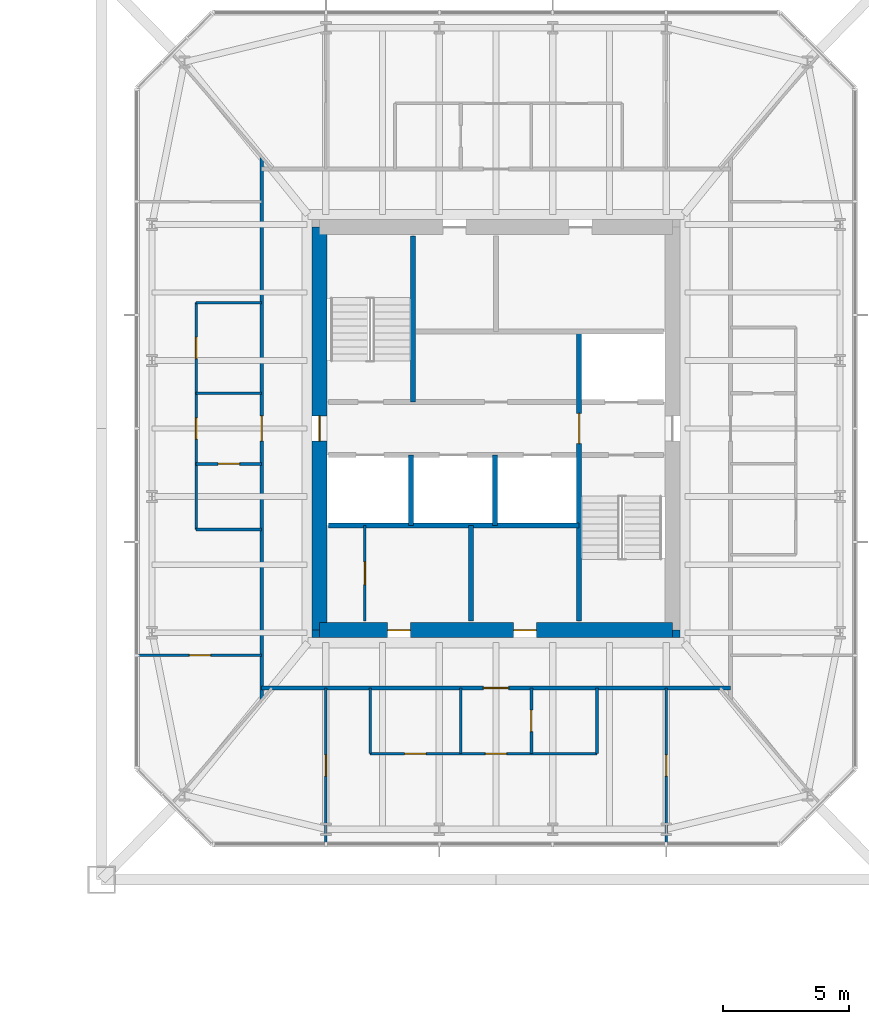
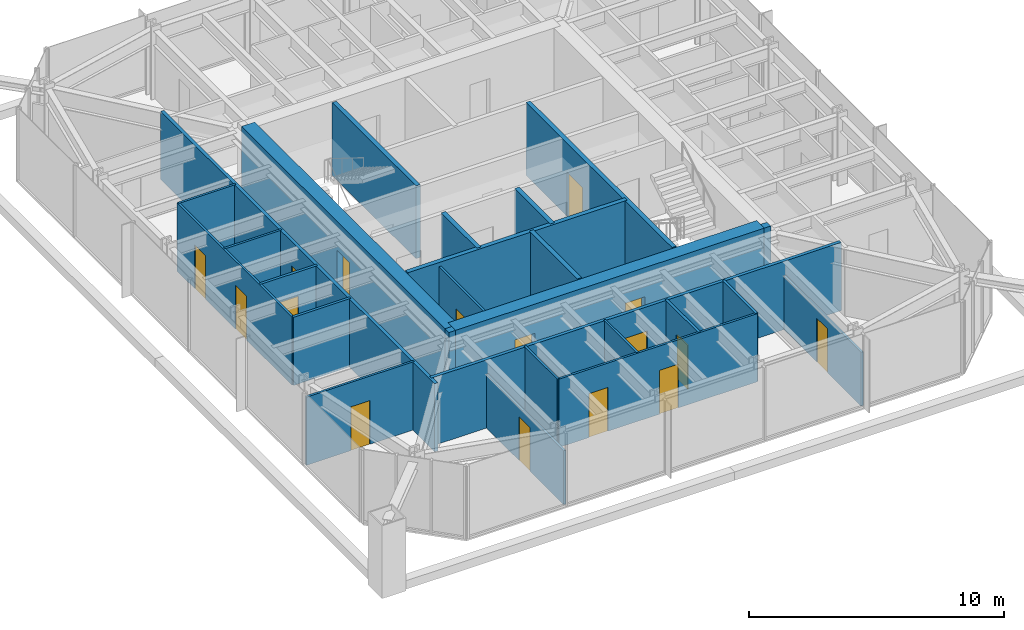
# One storey, part 18 of 26: 26 walls, 16 doors, 16 openings.
"""IFC4 building model written with IfcOpenShell, lengths in metres."""

from ifc_helpers import new_model, si_unit, direction, frame, frame_2d, origin, place, context, subcontext, project, spatial, rectangle, extrude, material, layer, layer_set, type_object, element, fill, save


model = new_model("IFC4")

# Units and contexts
model_context = context("Model", 3, precision=1e-05, world=origin(), true_north=direction((0.0, 1.0)))
body_context = subcontext(model_context, "Body", "Model", "MODEL_VIEW")
ifc_project = project(units=[si_unit("LENGTHUNIT", "METRE"), si_unit("AREAUNIT", "SQUARE_METRE"), si_unit("VOLUMEUNIT", "CUBIC_METRE"), si_unit("PLANEANGLEUNIT", "RADIAN"), si_unit("MASSUNIT", "GRAM", prefix="KILO")], contexts=[model_context])

# Site, building, storey
site_placement = place(None, origin())
site = spatial("IfcSite", under=ifc_project, at=site_placement, CompositionType="ELEMENT")
building_placement = place(site_placement, origin())
building = spatial("IfcBuilding", under=site, at=building_placement, Name="Iwan Alto Co-Living Towers", CompositionType="ELEMENT")
storey_placement = place(building_placement, frame((0.0, 0.0, 115.5)))
storey = spatial("IfcBuildingStorey", under=building, at=storey_placement, Name="L31", CompositionType="ELEMENT", Elevation=115.5)

# Wall, opening, door
ifc_material_1 = material(Name="Gypsum board")
ifc_layer_1 = layer(ifc_material_1, 0.02490234375, Name="Board", Category="Finish")
ifc_material_2 = material(Name="Steel ASTM A1003 ST33H cold-formed studs", Category="steel")
ifc_layer_2 = layer(ifc_material_2, 0.10009765625, Name="Studs", Category="Framing")
ifc_layer_3 = layer(ifc_material_1, 0.02490234375, Name="Board", Category="Finish")
ifc_layer_set_1 = layer_set([ifc_layer_1, ifc_layer_2, ifc_layer_3], Name="CORRIDOR WALL 150")
wall_type_1 = type_object("IfcWallType", Name="CORRIDOR WALL 150", PredefinedType="PARTITIONING", material=ifc_layer_set_1)
wall_1_placement = place(storey_placement, frame((53.699951171875, -10.300048828125, 0.0), z_axis=(0.0, 0.0, 1.0), x_axis=(1.0, 0.0, 0.0)))
wall_1 = element("IfcWall", 1, at=wall_1_placement, inside=storey, type_object=wall_type_1, Name="Partition L31", PredefinedType="PARTITIONING", context=body_context, shape_type="SweptSolid", body=[
    extrude(rectangle(XDim=18.60009765625, YDim=0.14990234375, at=frame_2d((9.300048828125, 0.0))), origin(), (0.0, 0.0, 1.0), 3.27001953125),
])
opening_1_placement = place(wall_1_placement, frame((8.800048828125, 0.0, 0.0)))
opening_1 = element("IfcOpeningElement", 2, at=opening_1_placement, cuts=wall_1, Name="Opening D3", PredefinedType="OPENING", context=body_context, shape_type="SweptSolid", body=[
    extrude(rectangle(XDim=1.0, YDim=2.10009765625, at=frame_2d((0.5, 1.050048828125))), frame((0.0, 0.0849609375, 0.0), z_axis=(0.0, -1.0, 0.0), x_axis=(1.0, 0.0, 0.0)), (0.0, 0.0, 1.0), 0.169921875),
])
ifc_material_3 = material(Name="Steel frame with timber leaf", Category="steel")
door_type_1 = type_object("IfcDoorType", Name="FLAT ENTRANCE DOOR FD30S 1000X2100", OperationType="SINGLE_SWING_LEFT", PredefinedType="DOOR", material=ifc_material_3)
door_1_placement = place(opening_1_placement, frame((1.0, 0.0, 0.0), z_axis=(0.0, 0.0, 1.0), x_axis=(-1.0, 0.0, 0.0)))
door_1 = element("IfcDoor", 3, at=door_1_placement, inside=storey, type_object=door_type_1, Name="Apartment foyer door L31", OperationType="SINGLE_SWING_RIGHT", OverallHeight=2.10009765625, OverallWidth=1.0, PredefinedType="DOOR", context=body_context, shape_type="SweptSolid", body=[
    extrude(rectangle(XDim=1.0, YDim=2.10009765625, at=frame_2d((0.5, 1.050048828125))), frame((0.0, 0.02490234375, 0.0), z_axis=(0.0, -1.0, 0.0), x_axis=(1.0, 0.0, 0.0)), (0.0, 0.0, 1.0), 0.050048828125),
])
fill(opening_1, door_1)

wall_2_placement = place(storey_placement, frame((53.699951171875, -10.76806640625, 0.0), z_axis=(0.0, 0.0, 1.0), x_axis=(0.0, 1.0, 0.0)))
wall_2 = element("IfcWall", 4, at=wall_2_placement, inside=storey, type_object=wall_type_1, Name="Partition L31", PredefinedType="PARTITIONING", context=body_context, shape_type="SweptSolid", body=[
    extrude(rectangle(XDim=21.5361328125, YDim=0.14990234375, at=frame_2d((10.76806640625, 0.0))), origin(), (0.0, 0.0, 1.0), 3.27001953125),
])
opening_2_placement = place(wall_2_placement, frame((10.26806640625, 0.0, 0.0)))
opening_2 = element("IfcOpeningElement", 5, at=opening_2_placement, cuts=wall_2, Name="Opening D3", PredefinedType="OPENING", context=body_context, shape_type="SweptSolid", body=[
    extrude(rectangle(XDim=1.0, YDim=2.10009765625, at=frame_2d((0.5, 1.050048828125))), frame((0.0, 0.0849609375, 0.0), z_axis=(0.0, -1.0, 0.0), x_axis=(1.0, 0.0, 0.0)), (0.0, 0.0, 1.0), 0.169921875),
])
door_2_placement = place(opening_2_placement, origin())
door_2 = element("IfcDoor", 6, at=door_2_placement, inside=storey, type_object=door_type_1, Name="Apartment foyer door L31", OperationType="SINGLE_SWING_LEFT", OverallHeight=2.10009765625, OverallWidth=1.0, PredefinedType="DOOR", context=body_context, shape_type="SweptSolid", body=[
    extrude(rectangle(XDim=1.0, YDim=2.10009765625, at=frame_2d((0.5, 1.050048828125))), frame((0.0, 0.02490234375, 0.0), z_axis=(0.0, -1.0, 0.0), x_axis=(1.0, 0.0, 0.0)), (0.0, 0.0, 1.0), 0.050048828125),
])
fill(opening_2, door_2)

# Wall, openings, doors
ifc_layer_4 = layer(ifc_material_1, 0.012451171875, Name="Board", Category="Finish")
ifc_layer_5 = layer(ifc_material_2, 0.074951171875, Name="Studs", Category="Framing")
ifc_layer_6 = layer(ifc_material_1, 0.012451171875, Name="Board", Category="Finish")
ifc_layer_set_2 = layer_set([ifc_layer_4, ifc_layer_5, ifc_layer_6], Name="PARTITION 100")
wall_type_2 = type_object("IfcWallType", Name="PARTITION 100", PredefinedType="PARTITIONING", material=ifc_layer_set_2)
wall_3_placement = place(storey_placement, frame((58.0, -12.89990234375, 0.0), z_axis=(0.0, 0.0, 1.0), x_axis=(1.0, 0.0, 0.0)))
wall_3 = element("IfcWall", 7, at=wall_3_placement, inside=storey, type_object=wall_type_2, Name="Partition L31", PredefinedType="PARTITIONING", context=body_context, shape_type="SweptSolid", body=[
    extrude(rectangle(XDim=9.0, YDim=0.10009765625, at=frame_2d((4.5, 0.0))), origin(), (0.0, 0.0, 1.0), 3.27001953125),
])
opening_3_placement = place(wall_3_placement, frame((1.375, 0.0, 0.0)))
opening_3 = element("IfcOpeningElement", 8, at=opening_3_placement, cuts=wall_3, Name="Opening D2", PredefinedType="OPENING", context=body_context, shape_type="SweptSolid", body=[
    extrude(rectangle(XDim=0.85009765625, YDim=2.10009765625, at=frame_2d((0.425048828125, 1.050048828125))), frame((0.0, 0.06005859375, 0.0), z_axis=(0.0, -1.0, 0.0), x_axis=(1.0, 0.0, 0.0)), (0.0, 0.0, 1.0), 0.1201171875),
])
opening_4_placement = place(wall_3_placement, frame((4.574951171875, 0.0, 0.0)))
opening_4 = element("IfcOpeningElement", 9, at=opening_4_placement, cuts=wall_3, Name="Opening D2", PredefinedType="OPENING", context=body_context, shape_type="SweptSolid", body=[
    extrude(rectangle(XDim=0.85009765625, YDim=2.10009765625, at=frame_2d((0.425048828125, 1.050048828125))), frame((0.0, 0.06005859375, 0.0), z_axis=(0.0, -1.0, 0.0), x_axis=(1.0, 0.0, 0.0)), (0.0, 0.0, 1.0), 0.1201171875),
])
ifc_material_4 = material(Name="Timber leaf in steel frame", Category="steel")
door_type_2 = type_object("IfcDoorType", Name="ROOM DOOR 850X2100", OperationType="SINGLE_SWING_LEFT", PredefinedType="DOOR", material=ifc_material_4)
door_3_placement = place(opening_3_placement, frame((0.85009765625, 0.0, 0.0), z_axis=(0.0, 0.0, 1.0), x_axis=(-1.0, 0.0, 0.0)))
door_3 = element("IfcDoor", 10, at=door_3_placement, inside=storey, type_object=door_type_2, Name="Kitchen door L31", OperationType="SINGLE_SWING_RIGHT", OverallHeight=2.10009765625, OverallWidth=0.85009765625, PredefinedType="DOOR", context=body_context, shape_type="SweptSolid", body=[
    extrude(rectangle(XDim=0.85009765625, YDim=2.10009765625, at=frame_2d((0.425048828125, 1.050048828125))), frame((0.0, 0.02490234375, 0.0), z_axis=(0.0, -1.0, 0.0), x_axis=(1.0, 0.0, 0.0)), (0.0, 0.0, 1.0), 0.050048828125),
])
fill(opening_3, door_3)
door_4_placement = place(opening_4_placement, frame((0.85009765625, 0.0, 0.0), z_axis=(0.0, 0.0, 1.0), x_axis=(-1.0, 0.0, 0.0)))
door_4 = element("IfcDoor", 11, at=door_4_placement, inside=storey, type_object=door_type_2, Name="Apartment foyer door L31", OperationType="SINGLE_SWING_RIGHT", OverallHeight=2.10009765625, OverallWidth=0.85009765625, PredefinedType="DOOR", context=body_context, shape_type="SweptSolid", body=[
    extrude(rectangle(XDim=0.85009765625, YDim=2.10009765625, at=frame_2d((0.425048828125, 1.050048828125))), frame((0.0, 0.02490234375, 0.0), z_axis=(0.0, -1.0, 0.0), x_axis=(1.0, 0.0, 0.0)), (0.0, 0.0, 1.0), 0.050048828125),
])
fill(opening_4, door_4)

# Wall, opening, door
wall_4_placement = place(storey_placement, frame((48.81005859375, -9.0, 0.0), z_axis=(0.0, 0.0, 1.0), x_axis=(1.0, 0.0, 0.0)))
wall_4 = element("IfcWall", 12, at=wall_4_placement, inside=storey, type_object=wall_type_2, Name="Partition L31", PredefinedType="PARTITIONING", context=body_context, shape_type="SweptSolid", body=[
    extrude(rectangle(XDim=4.889892578125, YDim=0.10009765625, at=frame_2d((2.44482421875, 0.0))), origin(), (0.0, 0.0, 1.0), 3.27001953125),
])
opening_5_placement = place(wall_4_placement, frame((2.02001953125, 0.0, 0.0)))
opening_5 = element("IfcOpeningElement", 13, at=opening_5_placement, cuts=wall_4, Name="Opening D2", PredefinedType="OPENING", context=body_context, shape_type="SweptSolid", body=[
    extrude(rectangle(XDim=0.85009765625, YDim=2.10009765625, at=frame_2d((0.425048828125, 1.050048828125))), frame((0.0, 0.06005859375, 0.0), z_axis=(0.0, -1.0, 0.0), x_axis=(1.0, 0.0, 0.0)), (0.0, 0.0, 1.0), 0.1201171875),
])
door_5_placement = place(opening_5_placement, origin())
door_5 = element("IfcDoor", 14, at=door_5_placement, inside=storey, type_object=door_type_2, Name="Study door L31", OperationType="SINGLE_SWING_RIGHT", OverallHeight=2.10009765625, OverallWidth=0.85009765625, PredefinedType="DOOR", context=body_context, shape_type="SweptSolid", body=[
    extrude(rectangle(XDim=0.85009765625, YDim=2.10009765625, at=frame_2d((0.425048828125, 1.050048828125))), frame((0.0, 0.02490234375, 0.0), z_axis=(0.0, -1.0, 0.0), x_axis=(1.0, 0.0, 0.0)), (0.0, 0.0, 1.0), 0.050048828125),
])
fill(opening_5, door_5)

# Walls
for number, where, z_axis, x_axis, name in (
    (15, (51.10009765625, 1.39990234375, 0.0), (0.0, 0.0, 1.0), (1.0, 0.0, 0.0), "Partition L31"),
    (16, (51.10009765625, 5.0, 0.0), (0.0, 0.0, 1.0), (1.0, 0.0, 0.0), "Partition L31"),
):
    element("IfcWall", number, at=place(storey_placement, frame(where, z_axis=z_axis, x_axis=x_axis)), inside=storey, type_object=wall_type_2, Name=name, PredefinedType="PARTITIONING", context=body_context, shape_type="SweptSolid", body=[
        extrude(rectangle(XDim=2.599853515625, YDim=0.10009765625, at=frame_2d((1.2998046875, 0.0))), origin(), (0.0, 0.0, 1.0), 3.27001953125),
    ])

# Wall, opening, door
wall_5_placement = place(storey_placement, frame((69.75, -16.43994140625, 0.0), z_axis=(0.0, 0.0, 1.0), x_axis=(0.0, 1.0, 0.0)))
wall_5 = element("IfcWall", 17, at=wall_5_placement, inside=storey, type_object=wall_type_2, Name="Partition L31", PredefinedType="PARTITIONING", context=body_context, shape_type="SweptSolid", body=[
    extrude(rectangle(XDim=6.139892578125, YDim=0.10009765625, at=frame_2d((3.06982421875, 0.0))), origin(), (0.0, 0.0, 1.0), 2.586669921875),
])
opening_6_placement = place(wall_5_placement, frame((2.64501953125, 0.0, 0.0)))
opening_6 = element("IfcOpeningElement", 18, at=opening_6_placement, cuts=wall_5, Name="Opening D2", PredefinedType="OPENING", context=body_context, shape_type="SweptSolid", body=[
    extrude(rectangle(XDim=0.85009765625, YDim=2.10009765625, at=frame_2d((0.425048828125, 1.050048828125))), frame((0.0, 0.06005859375, 0.0), z_axis=(0.0, -1.0, 0.0), x_axis=(1.0, 0.0, 0.0)), (0.0, 0.0, 1.0), 0.1201171875),
])
door_6_placement = place(opening_6_placement, origin())
door_6 = element("IfcDoor", 19, at=door_6_placement, inside=storey, type_object=door_type_2, Name="Bedroom door L31", OperationType="SINGLE_SWING_RIGHT", OverallHeight=2.10009765625, OverallWidth=0.85009765625, PredefinedType="DOOR", context=body_context, shape_type="SweptSolid", body=[
    extrude(rectangle(XDim=0.85009765625, YDim=2.10009765625, at=frame_2d((0.425048828125, 1.050048828125))), frame((0.0, 0.02490234375, 0.0), z_axis=(0.0, -1.0, 0.0), x_axis=(1.0, 0.0, 0.0)), (0.0, 0.0, 1.0), 0.050048828125),
])
fill(opening_6, door_6)

# Walls
for number, where, z_axis, x_axis, name in (
    (20, (61.60009765625, -12.89990234375, 0.0), (0.0, 0.0, 1.0), (0.0, 1.0, 0.0), "Partition L31"),
    (21, (58.0, -12.89990234375, 0.0), (0.0, 0.0, 1.0), (0.0, 1.0, 0.0), "Partition L31"),
):
    element("IfcWall", number, at=place(storey_placement, frame(where, z_axis=z_axis, x_axis=x_axis)), inside=storey, type_object=wall_type_2, Name=name, PredefinedType="PARTITIONING", context=body_context, shape_type="SweptSolid", body=[
        extrude(rectangle(XDim=2.599853515625, YDim=0.10009765625, at=frame_2d((1.2998046875, 0.0))), origin(), (0.0, 0.0, 1.0), 3.27001953125),
    ])

# Wall, opening, door
wall_6_placement = place(storey_placement, frame((57.800048828125, -7.639892578125, 0.0), z_axis=(0.0, 0.0, 1.0), x_axis=(0.0, 1.0, 0.0)))
wall_6 = element("IfcWall", 22, at=wall_6_placement, inside=storey, type_object=wall_type_2, Name="Partition L31", PredefinedType="PARTITIONING", context=body_context, shape_type="SweptSolid", body=[
    extrude(rectangle(XDim=3.789794921875, YDim=0.10009765625, at=frame_2d((1.89501953125, 0.0))), origin(), (0.0, 0.0, 1.0), 3.300048828125),
])
opening_7_placement = place(wall_6_placement, frame((1.445068359375, 0.0, 0.0)))
opening_7 = element("IfcOpeningElement", 23, at=opening_7_placement, cuts=wall_6, Name="Opening D16", PredefinedType="OPENING", context=body_context, shape_type="SweptSolid", body=[
    extrude(rectangle(XDim=0.89990234375, YDim=2.10009765625, at=frame_2d((0.449951171875, 1.050048828125))), frame((0.0, 0.06005859375, 0.0), z_axis=(0.0, -1.0, 0.0), x_axis=(1.0, 0.0, 0.0)), (0.0, 0.0, 1.0), 0.1201171875),
])
ifc_material_5 = material(Name="Timber leaf in steel frame", Category="steel")
door_type_3 = type_object("IfcDoorType", Name="CUPBOARD SLIDING DOOR 900X2100", OperationType="SLIDING_TO_LEFT", PredefinedType="DOOR", material=ifc_material_5)
door_7_placement = place(opening_7_placement, origin())
door_7 = element("IfcDoor", 24, at=door_7_placement, inside=storey, type_object=door_type_3, Name="Bulky waste store door L31", OperationType="SLIDING_TO_LEFT", OverallHeight=2.10009765625, OverallWidth=0.89990234375, PredefinedType="DOOR", context=body_context, shape_type="SweptSolid", body=[
    extrude(rectangle(XDim=0.89990234375, YDim=2.10009765625, at=frame_2d((0.449951171875, 1.050048828125))), frame((0.0, 0.02490234375, 0.0), z_axis=(0.0, -1.0, 0.0), x_axis=(1.0, 0.0, 0.0)), (0.0, 0.0, 1.0), 0.050048828125),
])
fill(opening_7, door_7)

wall_7_placement = place(storey_placement, frame((56.25, -16.43994140625, 0.0), z_axis=(0.0, 0.0, 1.0), x_axis=(0.0, 1.0, 0.0)))
wall_7 = element("IfcWall", 25, at=wall_7_placement, inside=storey, type_object=wall_type_2, Name="Partition L31", PredefinedType="PARTITIONING", context=body_context, shape_type="SweptSolid", body=[
    extrude(rectangle(XDim=6.139892578125, YDim=0.10009765625, at=frame_2d((3.06982421875, 0.0))), origin(), (0.0, 0.0, 1.0), 2.586669921875),
])
opening_8_placement = place(wall_7_placement, frame((2.64501953125, 0.0, 0.0)))
opening_8 = element("IfcOpeningElement", 26, at=opening_8_placement, cuts=wall_7, Name="Opening D2", PredefinedType="OPENING", context=body_context, shape_type="SweptSolid", body=[
    extrude(rectangle(XDim=0.85009765625, YDim=2.10009765625, at=frame_2d((0.425048828125, 1.050048828125))), frame((0.0, 0.06005859375, 0.0), z_axis=(0.0, -1.0, 0.0), x_axis=(1.0, 0.0, 0.0)), (0.0, 0.0, 1.0), 0.1201171875),
])
door_8_placement = place(opening_8_placement, frame((0.85009765625, 0.0, 0.0), z_axis=(0.0, 0.0, 1.0), x_axis=(-1.0, 0.0, 0.0)))
door_8 = element("IfcDoor", 27, at=door_8_placement, inside=storey, type_object=door_type_2, Name="Bedroom door L31", OperationType="SINGLE_SWING_LEFT", OverallHeight=2.10009765625, OverallWidth=0.85009765625, PredefinedType="DOOR", context=body_context, shape_type="SweptSolid", body=[
    extrude(rectangle(XDim=0.85009765625, YDim=2.10009765625, at=frame_2d((0.425048828125, 1.050048828125))), frame((0.0, 0.02490234375, 0.0), z_axis=(0.0, -1.0, 0.0), x_axis=(1.0, 0.0, 0.0)), (0.0, 0.0, 1.0), 0.050048828125),
])
fill(opening_8, door_8)

# Wall, openings, doors
wall_8_placement = place(storey_placement, frame((51.10009765625, -4.0, 0.0), z_axis=(0.0, 0.0, 1.0), x_axis=(0.0, 1.0, 0.0)))
wall_8 = element("IfcWall", 28, at=wall_8_placement, inside=storey, type_object=wall_type_2, Name="Partition L31", PredefinedType="PARTITIONING", context=body_context, shape_type="SweptSolid", body=[
    extrude(rectangle(XDim=9.0, YDim=0.10009765625, at=frame_2d((4.5, 0.0))), origin(), (0.0, 0.0, 1.0), 3.27001953125),
])
opening_9_placement = place(wall_8_placement, frame((6.77490234375, 0.0, 0.0)))
opening_9 = element("IfcOpeningElement", 29, at=opening_9_placement, cuts=wall_8, Name="Opening D2", PredefinedType="OPENING", context=body_context, shape_type="SweptSolid", body=[
    extrude(rectangle(XDim=0.85009765625, YDim=2.10009765625, at=frame_2d((0.425048828125, 1.050048828125))), frame((0.0, 0.06005859375, 0.0), z_axis=(0.0, -1.0, 0.0), x_axis=(1.0, 0.0, 0.0)), (0.0, 0.0, 1.0), 0.1201171875),
])
opening_10_placement = place(wall_8_placement, frame((3.574951171875, 0.0, 0.0)))
opening_10 = element("IfcOpeningElement", 30, at=opening_10_placement, cuts=wall_8, Name="Opening D2", PredefinedType="OPENING", context=body_context, shape_type="SweptSolid", body=[
    extrude(rectangle(XDim=0.85009765625, YDim=2.10009765625, at=frame_2d((0.425048828125, 1.050048828125))), frame((0.0, 0.06005859375, 0.0), z_axis=(0.0, -1.0, 0.0), x_axis=(1.0, 0.0, 0.0)), (0.0, 0.0, 1.0), 0.1201171875),
])
door_9_placement = place(opening_9_placement, origin())
door_9 = element("IfcDoor", 31, at=door_9_placement, inside=storey, type_object=door_type_2, Name="Kitchen door L31", OperationType="SINGLE_SWING_RIGHT", OverallHeight=2.10009765625, OverallWidth=0.85009765625, PredefinedType="DOOR", context=body_context, shape_type="SweptSolid", body=[
    extrude(rectangle(XDim=0.85009765625, YDim=2.10009765625, at=frame_2d((0.425048828125, 1.050048828125))), frame((0.0, 0.02490234375, 0.0), z_axis=(0.0, -1.0, 0.0), x_axis=(1.0, 0.0, 0.0)), (0.0, 0.0, 1.0), 0.050048828125),
])
fill(opening_9, door_9)
door_10_placement = place(opening_10_placement, origin())
door_10 = element("IfcDoor", 32, at=door_10_placement, inside=storey, type_object=door_type_2, Name="Apartment foyer door L31", OperationType="SINGLE_SWING_LEFT", OverallHeight=2.10009765625, OverallWidth=0.85009765625, PredefinedType="DOOR", context=body_context, shape_type="SweptSolid", body=[
    extrude(rectangle(XDim=0.85009765625, YDim=2.10009765625, at=frame_2d((0.425048828125, 1.050048828125))), frame((0.0, 0.02490234375, 0.0), z_axis=(0.0, -1.0, 0.0), x_axis=(1.0, 0.0, 0.0)), (0.0, 0.0, 1.0), 0.050048828125),
])
fill(opening_10, door_10)

# Wall
ifc_material_6 = material(Name="Concrete f'c 70 MPa", Category="concrete")
ifc_layer_7 = layer(ifc_material_6, 0.199951171875)
ifc_layer_set_3 = layer_set([ifc_layer_7], Name="SHAFT WALL 200")
wall_type_3 = type_object("IfcWallType", Name="SHAFT WALL 200", PredefinedType="SOLIDWALL", material=ifc_layer_set_3)
wall_9_placement = place(storey_placement, frame((56.360107421875, -3.85009765625, 0.0), z_axis=(0.0, 0.0, 1.0), x_axis=(1.0, 0.0, 0.0)))
element("IfcWall", 33, at=wall_9_placement, inside=storey, type_object=wall_type_3, Name="Shaft wall L31", PredefinedType="SOLIDWALL", context=body_context, shape_type="SweptSolid", body=[
    extrude(rectangle(XDim=9.93994140625, YDim=0.199951171875, at=frame_2d((4.969970703125, 0.0))), origin(), (0.0, 0.0, 1.0), 3.5),
])

# Wall, opening, door
wall_10_placement = place(storey_placement, frame((66.300048828125, -7.639892578125, 0.0), z_axis=(0.0, 0.0, 1.0), x_axis=(0.0, 1.0, 0.0)))
wall_10 = element("IfcWall", 34, at=wall_10_placement, inside=storey, type_object=wall_type_3, Name="Shaft wall L31", PredefinedType="SOLIDWALL", context=body_context, shape_type="SweptSolid", body=[
    extrude(rectangle(XDim=11.489990234375, YDim=0.199951171875, at=frame_2d((5.7451171875, 0.0))), origin(), (0.0, 0.0, 1.0), 3.5),
])
opening_11_placement = place(wall_10_placement, frame((7.0400390625, 0.0, 0.0)))
opening_11 = element("IfcOpeningElement", 35, at=opening_11_placement, cuts=wall_10, Name="Opening D6", PredefinedType="OPENING", context=body_context, shape_type="SweptSolid", body=[
    extrude(rectangle(XDim=1.199951171875, YDim=2.10009765625, at=frame_2d((0.60009765625, 1.050048828125))), frame((0.0, 0.10986328125, 0.0), z_axis=(0.0, -1.0, 0.0), x_axis=(1.0, 0.0, 0.0)), (0.0, 0.0, 1.0), 0.219970703125),
])
ifc_material_7 = material(Name="Steel frame with timber leaf", Category="steel")
door_type_4 = type_object("IfcDoorType", Name="LOBBY DOOR FD120S 1200X2100", OperationType="SINGLE_SWING_LEFT", PredefinedType="DOOR", material=ifc_material_7)
door_11_placement = place(opening_11_placement, frame((1.199951171875, 0.0, 0.0), z_axis=(0.0, 0.0, 1.0), x_axis=(-1.0, 0.0, 0.0)))
door_11 = element("IfcDoor", 36, at=door_11_placement, inside=storey, type_object=door_type_4, Name="Firefighting lobby door L31", OperationType="SINGLE_SWING_RIGHT", OverallHeight=2.10009765625, OverallWidth=1.199951171875, PredefinedType="DOOR", context=body_context, shape_type="SweptSolid", body=[
    extrude(rectangle(XDim=1.199951171875, YDim=2.10009765625, at=frame_2d((0.60009765625, 1.050048828125))), frame((0.0, 0.02490234375, 0.0), z_axis=(0.0, -1.0, 0.0), x_axis=(1.0, 0.0, 0.0)), (0.0, 0.0, 1.0), 0.050048828125),
])
fill(opening_11, door_11)

# Walls
wall_11_placement = place(storey_placement, frame((62.967041015625, -3.85009765625, 0.0), z_axis=(0.0, 0.0, 1.0), x_axis=(0.0, 1.0, 0.0)))
element("IfcWall", 37, at=wall_11_placement, inside=storey, type_object=wall_type_3, Name="Shaft wall L31", PredefinedType="SOLIDWALL", context=body_context, shape_type="SweptSolid", body=[
    extrude(rectangle(XDim=2.800048828125, YDim=0.199951171875, at=frame_2d((1.39990234375, 0.0))), origin(), (0.0, 0.0, 1.0), 3.5),
])
wall_12_placement = place(storey_placement, frame((62.0, -7.639892578125, 0.0), z_axis=(0.0, 0.0, 1.0), x_axis=(0.0, 1.0, 0.0)))
element("IfcWall", 38, at=wall_12_placement, inside=storey, type_object=wall_type_3, Name="Shaft wall L31", PredefinedType="SOLIDWALL", context=body_context, shape_type="SweptSolid", body=[
    extrude(rectangle(XDim=3.789794921875, YDim=0.199951171875, at=frame_2d((1.89501953125, 0.0))), origin(), (0.0, 0.0, 1.0), 3.5),
])
wall_13_placement = place(storey_placement, frame((59.699951171875, 1.050048828125, 0.0), z_axis=(0.0, 0.0, 1.0), x_axis=(0.0, 1.0, 0.0)))
element("IfcWall", 39, at=wall_13_placement, inside=storey, type_object=wall_type_3, Name="Shaft wall L31", PredefinedType="SOLIDWALL", context=body_context, shape_type="SweptSolid", body=[
    extrude(rectangle(XDim=6.58984375, YDim=0.199951171875, at=frame_2d((3.294921875, 0.0))), origin(), (0.0, 0.0, 1.0), 3.5),
])
wall_14_placement = place(storey_placement, frame((59.633056640625, -3.85009765625, 0.0), z_axis=(0.0, 0.0, 1.0), x_axis=(0.0, 1.0, 0.0)))
element("IfcWall", 40, at=wall_14_placement, inside=storey, type_object=wall_type_3, Name="Shaft wall L31", PredefinedType="SOLIDWALL", context=body_context, shape_type="SweptSolid", body=[
    extrude(rectangle(XDim=2.800048828125, YDim=0.199951171875, at=frame_2d((1.39990234375, 0.0))), origin(), (0.0, 0.0, 1.0), 3.5),
])
ifc_material_8 = material(Name="Concrete f'c 70 MPa", Category="concrete")
ifc_layer_8 = layer(ifc_material_8, 0.300048828125)
ifc_layer_set_4 = layer_set([ifc_layer_8], Name="T2 CORE CORNER FILL 300")
wall_type_4 = type_object("IfcWallType", Name="T2 CORE CORNER FILL 300", PredefinedType="SOLIDWALL", material=ifc_layer_set_4)
for number, where, z_axis, x_axis, name in (
    (41, (55.699951171875, -8.14990234375, 0.0), (0.0, 0.0, 1.0), (1.0, 0.0, 0.0), "T2 core corner SW L31"),
    (42, (70.0, -8.14990234375, 0.0), (0.0, 0.0, 1.0), (1.0, 0.0, 0.0), "T2 core corner SE L31"),
):
    element("IfcWall", number, at=place(storey_placement, frame(where, z_axis=z_axis, x_axis=x_axis)), inside=storey, type_object=wall_type_4, Name=name, PredefinedType="SOLIDWALL", context=body_context, shape_type="SweptSolid", body=[
        extrude(rectangle(XDim=0.300048828125, YDim=0.300048828125, at=frame_2d((0.14990234375, 0.0))), origin(), (0.0, 0.0, 1.0), 3.5),
    ])

# Wall, openings, doors
ifc_material_9 = material(Name="Concrete f'c 70 MPa", Category="concrete")
ifc_layer_9 = layer(ifc_material_9, 0.60009765625)
ifc_layer_set_5 = layer_set([ifc_layer_9], Name="T2 CORE WALL 600")
wall_type_5 = type_object("IfcWallType", Name="T2 CORE WALL 600", PredefinedType="SHEAR", material=ifc_layer_set_5)
wall_15_placement = place(storey_placement, frame((56.0, -8.0, 0.0), z_axis=(0.0, 0.0, 1.0), x_axis=(1.0, 0.0, 0.0)))
wall_15 = element("IfcWall", 43, at=wall_15_placement, inside=storey, type_object=wall_type_5, Name="T2 core wall S L31", PredefinedType="SHEAR", context=body_context, shape_type="SweptSolid", body=[
    extrude(rectangle(XDim=14.0, YDim=0.60009765625, at=frame_2d((7.0, 0.0))), origin(), (0.0, 0.0, 1.0), 3.5),
])
opening_12_placement = place(wall_15_placement, frame((2.699951171875, 0.0, 0.0)))
opening_12 = element("IfcOpeningElement", 44, at=opening_12_placement, cuts=wall_15, Name="Opening D8", PredefinedType="OPENING", context=body_context, shape_type="SweptSolid", body=[
    extrude(rectangle(XDim=0.89990234375, YDim=2.10009765625, at=frame_2d((0.449951171875, 1.050048828125))), frame((0.0, 0.31005859375, 0.0), z_axis=(0.0, -1.0, 0.0), x_axis=(1.0, 0.0, 0.0)), (0.0, 0.0, 1.0), 0.6201171875),
])
opening_13_placement = place(wall_15_placement, frame((7.699951171875, 0.0, 0.0)))
opening_13 = element("IfcOpeningElement", 45, at=opening_13_placement, cuts=wall_15, Name="Opening D8", PredefinedType="OPENING", context=body_context, shape_type="SweptSolid", body=[
    extrude(rectangle(XDim=0.89990234375, YDim=2.10009765625, at=frame_2d((0.449951171875, 1.050048828125))), frame((0.0, 0.31005859375, 0.0), z_axis=(0.0, -1.0, 0.0), x_axis=(1.0, 0.0, 0.0)), (0.0, 0.0, 1.0), 0.6201171875),
])
ifc_material_10 = material(Name="Steel frame with timber leaf", Category="steel")
door_type_5 = type_object("IfcDoorType", Name="RISER DOOR FD120 900X2100", OperationType="SINGLE_SWING_LEFT", PredefinedType="DOOR", material=ifc_material_10)
door_12_placement = place(opening_12_placement, origin())
door_12 = element("IfcDoor", 46, at=door_12_placement, inside=storey, type_object=door_type_5, Name="Refuse room core door L31", OperationType="SINGLE_SWING_LEFT", OverallHeight=2.10009765625, OverallWidth=0.89990234375, PredefinedType="DOOR", context=body_context, shape_type="SweptSolid", body=[
    extrude(rectangle(XDim=0.89990234375, YDim=2.10009765625, at=frame_2d((0.449951171875, 1.050048828125))), frame((0.0, 0.02490234375, 0.0), z_axis=(0.0, -1.0, 0.0), x_axis=(1.0, 0.0, 0.0)), (0.0, 0.0, 1.0), 0.050048828125),
])
fill(opening_12, door_12)
door_13_placement = place(opening_13_placement, origin())
door_13 = element("IfcDoor", 47, at=door_13_placement, inside=storey, type_object=door_type_5, Name="Telecom riser core door L31", OperationType="SINGLE_SWING_LEFT", OverallHeight=2.10009765625, OverallWidth=0.89990234375, PredefinedType="DOOR", context=body_context, shape_type="SweptSolid", body=[
    extrude(rectangle(XDim=0.89990234375, YDim=2.10009765625, at=frame_2d((0.449951171875, 1.050048828125))), frame((0.0, 0.02490234375, 0.0), z_axis=(0.0, -1.0, 0.0), x_axis=(1.0, 0.0, 0.0)), (0.0, 0.0, 1.0), 0.050048828125),
])
fill(opening_13, door_13)

# Wall, opening, door
wall_16_placement = place(storey_placement, frame((56.0, 8.0, 0.0), z_axis=(0.0, 0.0, 1.0), x_axis=(0.0, -1.0, 0.0)))
wall_16 = element("IfcWall", 48, at=wall_16_placement, inside=storey, type_object=wall_type_5, Name="T2 core wall W L31", PredefinedType="SHEAR", context=body_context, shape_type="SweptSolid", body=[
    extrude(rectangle(XDim=16.0, YDim=0.60009765625, at=frame_2d((8.0, 0.0))), origin(), (0.0, 0.0, 1.0), 3.5),
])
opening_14_placement = place(wall_16_placement, frame((7.5, 0.0, 0.0)))
opening_14 = element("IfcOpeningElement", 49, at=opening_14_placement, cuts=wall_16, Name="Opening D7", PredefinedType="OPENING", context=body_context, shape_type="SweptSolid", body=[
    extrude(rectangle(XDim=1.0, YDim=2.10009765625, at=frame_2d((0.5, 1.050048828125))), frame((0.0, 0.31005859375, 0.0), z_axis=(0.0, -1.0, 0.0), x_axis=(1.0, 0.0, 0.0)), (0.0, 0.0, 1.0), 0.6201171875),
])
ifc_material_11 = material(Name="Steel frame with timber leaf", Category="steel")
door_type_6 = type_object("IfcDoorType", Name="CORE DOOR FD120S 1000X2100", OperationType="SINGLE_SWING_LEFT", PredefinedType="DOOR", material=ifc_material_11)
door_14_placement = place(opening_14_placement, origin())
door_14 = element("IfcDoor", 50, at=door_14_placement, inside=storey, type_object=door_type_6, Name="Lift lobby core door L31", OperationType="SINGLE_SWING_RIGHT", OverallHeight=2.10009765625, OverallWidth=1.0, PredefinedType="DOOR", context=body_context, shape_type="SweptSolid", body=[
    extrude(rectangle(XDim=1.0, YDim=2.10009765625, at=frame_2d((0.5, 1.050048828125))), frame((0.0, 0.02490234375, 0.0), z_axis=(0.0, -1.0, 0.0), x_axis=(1.0, 0.0, 0.0)), (0.0, 0.0, 1.0), 0.050048828125),
])
fill(opening_14, door_14)

# Wall
ifc_material_12 = material(Name="Cement board")
ifc_layer_10 = layer(ifc_material_12, 0.012451171875, Name="Board", Category="Finish")
ifc_layer_11 = layer(ifc_material_2, 0.094970703125, Name="Studs", Category="Framing")
ifc_layer_12 = layer(ifc_material_12, 0.012451171875, Name="Board", Category="Finish")
ifc_layer_set_6 = layer_set([ifc_layer_10, ifc_layer_11, ifc_layer_12], Name="WET AREA PARTITION 120")
wall_type_6 = type_object("IfcWallType", Name="WET AREA PARTITION 120", PredefinedType="PARTITIONING", material=ifc_layer_set_6)
wall_17_placement = place(storey_placement, frame((51.10009765625, -4.0, 0.0), z_axis=(0.0, 0.0, 1.0), x_axis=(1.0, 0.0, 0.0)))
element("IfcWall", 51, at=wall_17_placement, inside=storey, type_object=wall_type_6, Name="Partition L31", PredefinedType="PARTITIONING", context=body_context, shape_type="SweptSolid", body=[
    extrude(rectangle(XDim=2.599853515625, YDim=0.1201171875, at=frame_2d((1.2998046875, 0.0))), origin(), (0.0, 0.0, 1.0), 3.27001953125),
])

# Wall, opening, door
wall_18_placement = place(storey_placement, frame((51.10009765625, -1.39990234375, 0.0), z_axis=(0.0, 0.0, 1.0), x_axis=(1.0, 0.0, 0.0)))
wall_18 = element("IfcWall", 52, at=wall_18_placement, inside=storey, type_object=wall_type_6, Name="Partition L31", PredefinedType="PARTITIONING", context=body_context, shape_type="SweptSolid", body=[
    extrude(rectangle(XDim=2.599853515625, YDim=0.1201171875, at=frame_2d((1.2998046875, 0.0))), origin(), (0.0, 0.0, 1.0), 3.27001953125),
])
opening_15_placement = place(wall_18_placement, frame((0.875, 0.0, 0.0)))
opening_15 = element("IfcOpeningElement", 53, at=opening_15_placement, cuts=wall_18, Name="Opening D2", PredefinedType="OPENING", context=body_context, shape_type="SweptSolid", body=[
    extrude(rectangle(XDim=0.85009765625, YDim=2.10009765625, at=frame_2d((0.425048828125, 1.050048828125))), frame((0.0, 0.070068359375, 0.0), z_axis=(0.0, -1.0, 0.0), x_axis=(1.0, 0.0, 0.0)), (0.0, 0.0, 1.0), 0.14013671875),
])
door_15_placement = place(opening_15_placement, frame((0.85009765625, 0.0, 0.0), z_axis=(0.0, 0.0, 1.0), x_axis=(-1.0, 0.0, 0.0)))
door_15 = element("IfcDoor", 54, at=door_15_placement, inside=storey, type_object=door_type_2, Name="Bathroom door L31", OperationType="SINGLE_SWING_RIGHT", OverallHeight=2.10009765625, OverallWidth=0.85009765625, PredefinedType="DOOR", context=body_context, shape_type="SweptSolid", body=[
    extrude(rectangle(XDim=0.85009765625, YDim=2.10009765625, at=frame_2d((0.425048828125, 1.050048828125))), frame((0.0, 0.02490234375, 0.0), z_axis=(0.0, -1.0, 0.0), x_axis=(1.0, 0.0, 0.0)), (0.0, 0.0, 1.0), 0.050048828125),
])
fill(opening_15, door_15)

# Wall
wall_19_placement = place(storey_placement, frame((67.0, -12.89990234375, 0.0), z_axis=(0.0, 0.0, 1.0), x_axis=(0.0, 1.0, 0.0)))
element("IfcWall", 55, at=wall_19_placement, inside=storey, type_object=wall_type_6, Name="Partition L31", PredefinedType="PARTITIONING", context=body_context, shape_type="SweptSolid", body=[
    extrude(rectangle(XDim=2.599853515625, YDim=0.1201171875, at=frame_2d((1.2998046875, 0.0))), origin(), (0.0, 0.0, 1.0), 3.27001953125),
])

# Wall, opening, door
wall_20_placement = place(storey_placement, frame((64.39990234375, -12.89990234375, 0.0), z_axis=(0.0, 0.0, 1.0), x_axis=(0.0, 1.0, 0.0)))
wall_20 = element("IfcWall", 56, at=wall_20_placement, inside=storey, type_object=wall_type_6, Name="Partition L31", PredefinedType="PARTITIONING", context=body_context, shape_type="SweptSolid", body=[
    extrude(rectangle(XDim=2.599853515625, YDim=0.1201171875, at=frame_2d((1.2998046875, 0.0))), origin(), (0.0, 0.0, 1.0), 3.27001953125),
])
opening_16_placement = place(wall_20_placement, frame((0.875, 0.0, 0.0)))
opening_16 = element("IfcOpeningElement", 57, at=opening_16_placement, cuts=wall_20, Name="Opening D2", PredefinedType="OPENING", context=body_context, shape_type="SweptSolid", body=[
    extrude(rectangle(XDim=0.85009765625, YDim=2.10009765625, at=frame_2d((0.425048828125, 1.050048828125))), frame((0.0, 0.070068359375, 0.0), z_axis=(0.0, -1.0, 0.0), x_axis=(1.0, 0.0, 0.0)), (0.0, 0.0, 1.0), 0.14013671875),
])
door_16_placement = place(opening_16_placement, frame((0.85009765625, 0.0, 0.0), z_axis=(0.0, 0.0, 1.0), x_axis=(-1.0, 0.0, 0.0)))
door_16 = element("IfcDoor", 58, at=door_16_placement, inside=storey, type_object=door_type_2, Name="Bathroom door L31", OperationType="SINGLE_SWING_RIGHT", OverallHeight=2.10009765625, OverallWidth=0.85009765625, PredefinedType="DOOR", context=body_context, shape_type="SweptSolid", body=[
    extrude(rectangle(XDim=0.85009765625, YDim=2.10009765625, at=frame_2d((0.425048828125, 1.050048828125))), frame((0.0, 0.02490234375, 0.0), z_axis=(0.0, -1.0, 0.0), x_axis=(1.0, 0.0, 0.0)), (0.0, 0.0, 1.0), 0.050048828125),
])
fill(opening_16, door_16)

save(model, "model.ifc")
